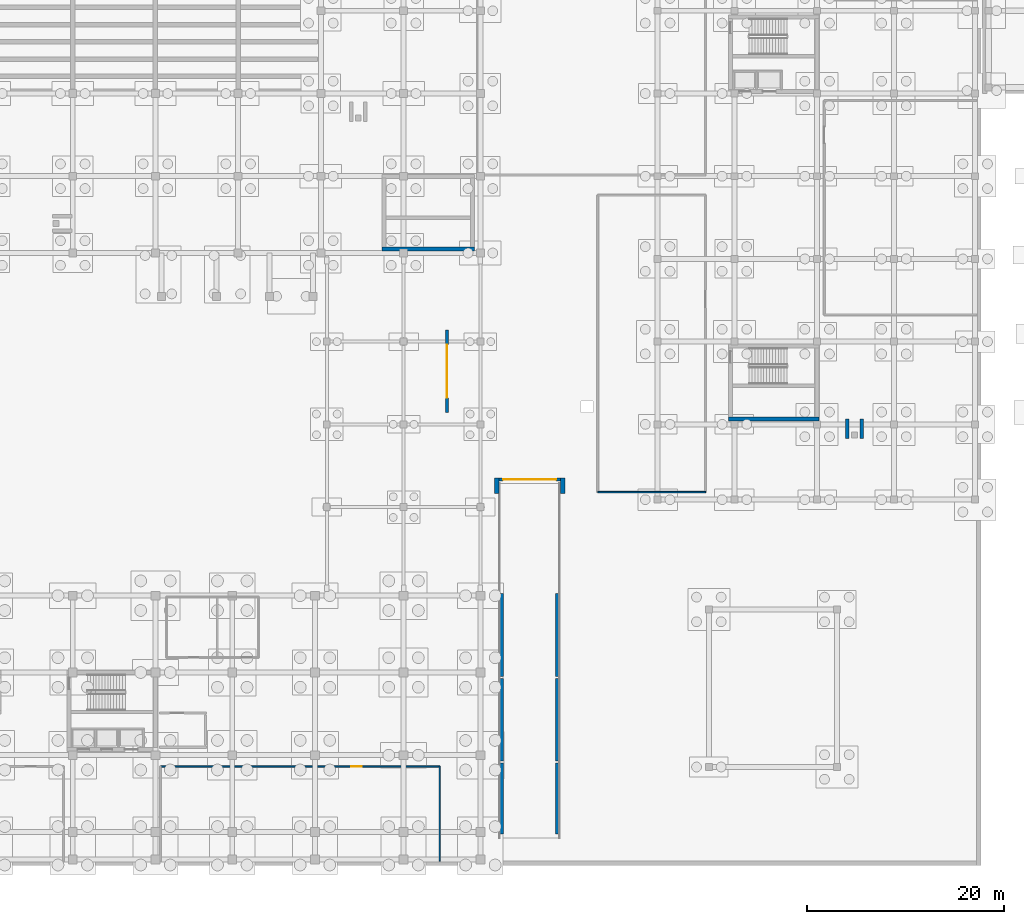
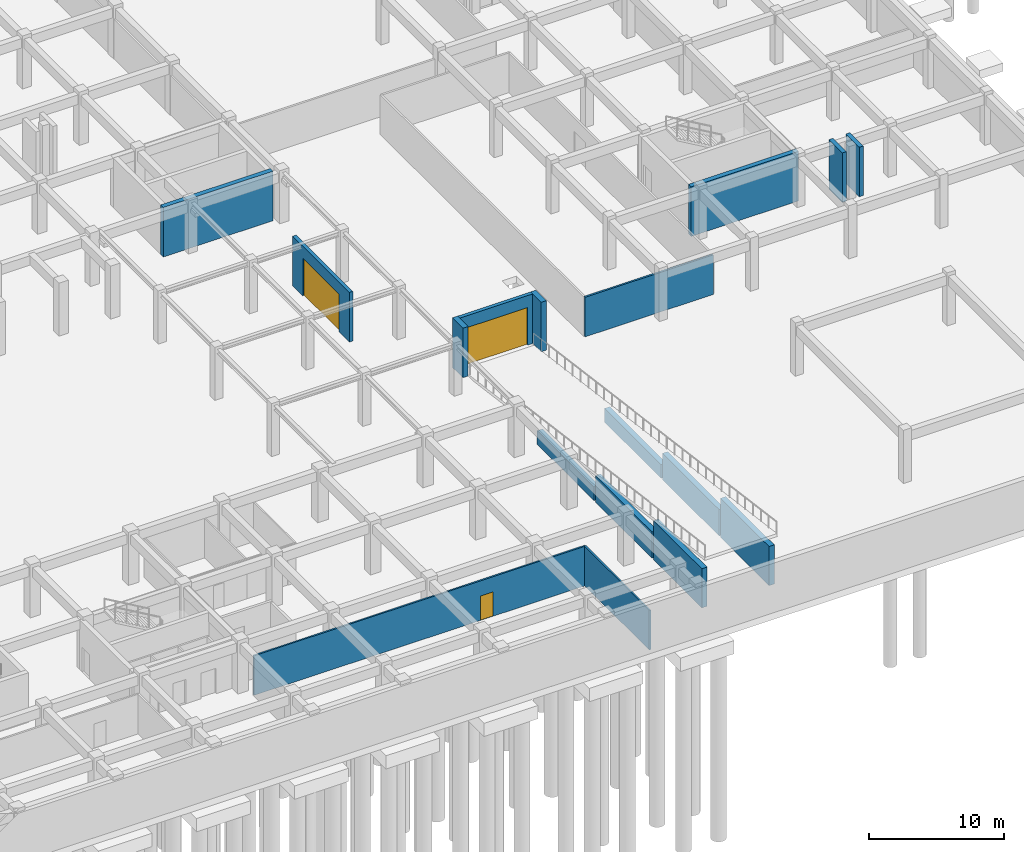
# One storey, part 18 of 35: 17 walls, 3 doors, 3 openings.
"""IFC4 building model written with IfcOpenShell, lengths in metres."""

from ifc_helpers import new_model, si_unit, direction, frame, frame_2d, origin, place, context, subcontext, project, spatial, rectangle, extrude, material, layer, layer_set, type_object, element, fill, save


model = new_model("IFC4")

# Units and contexts
model_context = context("Model", 3, precision=1e-05, world=origin(), true_north=direction((0.0, 1.0)))
body_context = subcontext(model_context, "Body", "Model", "MODEL_VIEW")
ifc_project = project(units=[si_unit("LENGTHUNIT", "METRE"), si_unit("AREAUNIT", "SQUARE_METRE"), si_unit("VOLUMEUNIT", "CUBIC_METRE"), si_unit("PLANEANGLEUNIT", "RADIAN"), si_unit("MASSUNIT", "GRAM", prefix="KILO")], contexts=[model_context])

# Site, building, storey
site_placement = place(None, origin())
site = spatial("IfcSite", under=ifc_project, at=site_placement, CompositionType="ELEMENT")
building_placement = place(site_placement, origin())
building = spatial("IfcBuilding", under=site, at=building_placement, Name="Zayran Congress Hotel", CompositionType="ELEMENT")
storey_placement = place(building_placement, frame((0.0, 0.0, -4.800048828125)))
storey = spatial("IfcBuildingStorey", under=building, at=storey_placement, Name="B1", CompositionType="ELEMENT", Elevation=-4.800048828125)

# Walls
ifc_material_1 = material(Name="Concrete C32/40", Category="concrete")
ifc_layer_1 = layer(ifc_material_1, 0.449951171875)
ifc_layer_set_1 = layer_set([ifc_layer_1], Name="Concrete C32/40")
wall_type_1 = type_object("IfcWallType", Name="WL-RT-450", PredefinedType="USERDEFINED", material=ifc_layer_set_1)
wall_1_placement = place(storey_placement, frame((93.925048828125, 9.199951171875, 0.0), z_axis=(0.0, 0.0, 1.0), x_axis=(0.0, 1.0, 0.0)))
element("IfcWall", 1, at=wall_1_placement, inside=storey, type_object=wall_type_1, Name="Vehicle Ramp Stepped Bearing Wall W1", ObjectType="RETAININGWALL", PredefinedType="USERDEFINED", context=body_context, shape_type="SweptSolid", body=[
    extrude(rectangle(XDim=7.199951171875, YDim=0.449951171875, at=frame_2d((3.60009765625, 0.0))), origin(), (0.0, 0.0, 1.0), 3.53515625),
])
wall_2_placement = place(storey_placement, frame((93.925048828125, 16.60009765625, 0.0), z_axis=(0.0, 0.0, 1.0), x_axis=(0.0, 1.0, 0.0)))
element("IfcWall", 2, at=wall_2_placement, inside=storey, type_object=wall_type_1, Name="Vehicle Ramp Stepped Bearing Wall W2", ObjectType="RETAININGWALL", PredefinedType="USERDEFINED", context=body_context, shape_type="SweptSolid", body=[
    extrude(rectangle(XDim=8.39990234375, YDim=0.449951171875, at=frame_2d((4.199951171875, 0.0))), origin(), (0.0, 0.0, 1.0), 2.387939453125),
])
wall_3_placement = place(storey_placement, frame((93.925048828125, 25.199951171875, 0.0), z_axis=(0.0, 0.0, 1.0), x_axis=(0.0, 1.0, 0.0)))
element("IfcWall", 3, at=wall_3_placement, inside=storey, type_object=wall_type_1, Name="Vehicle Ramp Stepped Bearing Wall W3", ObjectType="RETAININGWALL", PredefinedType="USERDEFINED", context=body_context, shape_type="SweptSolid", body=[
    extrude(rectangle(XDim=8.400146484375, YDim=0.449951171875, at=frame_2d((4.2001953125, 0.0))), origin(), (0.0, 0.0, 1.0), 1.240966796875),
])
wall_4_placement = place(storey_placement, frame((99.675048828125, 9.199951171875, 0.0), z_axis=(0.0, 0.0, 1.0), x_axis=(0.0, 1.0, 0.0)))
element("IfcWall", 4, at=wall_4_placement, inside=storey, type_object=wall_type_1, Name="Vehicle Ramp Stepped Bearing Wall E1", ObjectType="RETAININGWALL", PredefinedType="USERDEFINED", context=body_context, shape_type="SweptSolid", body=[
    extrude(rectangle(XDim=7.199951171875, YDim=0.449951171875, at=frame_2d((3.60009765625, 0.0))), origin(), (0.0, 0.0, 1.0), 3.53515625),
])
wall_5_placement = place(storey_placement, frame((99.675048828125, 16.60009765625, 0.0), z_axis=(0.0, 0.0, 1.0), x_axis=(0.0, 1.0, 0.0)))
element("IfcWall", 5, at=wall_5_placement, inside=storey, type_object=wall_type_1, Name="Vehicle Ramp Stepped Bearing Wall E2", ObjectType="RETAININGWALL", PredefinedType="USERDEFINED", context=body_context, shape_type="SweptSolid", body=[
    extrude(rectangle(XDim=8.39990234375, YDim=0.449951171875, at=frame_2d((4.199951171875, 0.0))), origin(), (0.0, 0.0, 1.0), 2.387939453125),
])
wall_6_placement = place(storey_placement, frame((99.675048828125, 25.199951171875, 0.0), z_axis=(0.0, 0.0, 1.0), x_axis=(0.0, 1.0, 0.0)))
element("IfcWall", 6, at=wall_6_placement, inside=storey, type_object=wall_type_1, Name="Vehicle Ramp Stepped Bearing Wall E3", ObjectType="RETAININGWALL", PredefinedType="USERDEFINED", context=body_context, shape_type="SweptSolid", body=[
    extrude(rectangle(XDim=8.400146484375, YDim=0.449951171875, at=frame_2d((4.2001953125, 0.0))), origin(), (0.0, 0.0, 1.0), 1.240966796875),
])
for number, where, z_axis, x_axis, name in (
    (7, (93.449951171875, 43.800048828125, 0.0), (0.0, 0.0, 1.0), (0.0, 1.0, 0.0), "Vehicle Ramp Portal Return Pier W"),
    (8, (100.14990234375, 43.800048828125, 0.0), (0.0, 0.0, 1.0), (0.0, 1.0, 0.0), "Vehicle Ramp Portal Return Pier E"),
):
    element("IfcWall", number, at=place(storey_placement, frame(where, z_axis=z_axis, x_axis=x_axis)), inside=storey, type_object=wall_type_1, Name=name, ObjectType="RETAININGWALL", PredefinedType="USERDEFINED", context=body_context, shape_type="SweptSolid", body=[
        extrude(rectangle(XDim=1.550048828125, YDim=0.449951171875, at=frame_2d((0.77490234375, 0.0))), origin(), (0.0, 0.0, 1.0), 4.47998046875),
    ])

# Wall, opening, door
ifc_material_2 = material(Name="Ajlun white limestone and insulated concrete C32/40", Category="masonry")
ifc_layer_2 = layer(ifc_material_2, 0.300048828125)
ifc_layer_set_2 = layer_set([ifc_layer_2], Name="Ajlun white limestone and insulated concrete C32/40")
wall_type_2 = type_object("IfcWallType", Name="WL-EX-300", PredefinedType="SOLIDWALL", material=ifc_layer_set_2)
wall_7_placement = place(storey_placement, frame((93.39990234375, 45.199951171875, 0.0), z_axis=(0.0, 0.0, 1.0), x_axis=(1.0, 0.0, 0.0)))
wall_7 = element("IfcWall", 9, at=wall_7_placement, inside=storey, type_object=wall_type_2, Name="WL-PRT-01", PredefinedType="SOLIDWALL", context=body_context, shape_type="SweptSolid", body=[
    extrude(rectangle(XDim=6.800048828125, YDim=0.300048828125, at=frame_2d((3.39990234375, 0.0))), origin(), (0.0, 0.0, 1.0), 4.47998046875),
])
opening_1_placement = place(wall_7_placement, frame((0.699951171875, 0.0, 0.0)))
opening_1 = element("IfcOpeningElement", 10, at=opening_1_placement, cuts=wall_7, Name="Opening VG-01", PredefinedType="OPENING", context=body_context, shape_type="SweptSolid", body=[
    extrude(rectangle(XDim=5.39990234375, YDim=3.39990234375, at=frame_2d((2.699951171875, 1.699951171875))), frame((0.0, 0.159912109375, 0.0), z_axis=(0.0, -1.0, 0.0), x_axis=(1.0, 0.0, 0.0)), (0.0, 0.0, 1.0), 0.320068359375),
])
ifc_material_3 = material(Name="Galvanised steel insulated roller shutter", Category="steel")
door_type_1 = type_object("IfcDoorType", Name="TP-VG-01", OperationType="ROLLINGUP", PredefinedType="GATE", material=ifc_material_3)
door_1_placement = place(opening_1_placement, origin())
door_1 = element("IfcDoor", 11, at=door_1_placement, inside=storey, type_object=door_type_1, Name="B1 Ramp Foot Vehicle Shutter", OperationType="ROLLINGUP", OverallHeight=3.39990234375, OverallWidth=5.39990234375, PredefinedType="GATE", context=body_context, shape_type="SweptSolid", body=[
    extrude(rectangle(XDim=5.39990234375, YDim=3.39990234375, at=frame_2d((2.699951171875, 1.699951171875))), frame((0.0, 0.02490234375, 0.0), z_axis=(0.0, -1.0, 0.0), x_axis=(1.0, 0.0, 0.0)), (0.0, 0.0, 1.0), 0.050048828125),
])
fill(opening_1, door_1)

wall_8_placement = place(storey_placement, frame((88.39990234375, 52.0, 0.0), z_axis=(0.0, 0.0, 1.0), x_axis=(0.0, 1.0, 0.0)))
wall_8 = element("IfcWall", 12, at=wall_8_placement, inside=storey, type_object=wall_type_2, Name="WL-PRT-02", PredefinedType="SOLIDWALL", context=body_context, shape_type="SweptSolid", body=[
    extrude(rectangle(XDim=8.39990234375, YDim=0.300048828125, at=frame_2d((4.199951171875, 0.0))), origin(), (0.0, 0.0, 1.0), 4.47998046875),
])
opening_2_placement = place(wall_8_placement, frame((1.5, 0.0, 0.0)))
opening_2 = element("IfcOpeningElement", 13, at=opening_2_placement, cuts=wall_8, Name="Opening VG-01", PredefinedType="OPENING", context=body_context, shape_type="SweptSolid", body=[
    extrude(rectangle(XDim=5.39990234375, YDim=3.39990234375, at=frame_2d((2.699951171875, 1.699951171875))), frame((0.0, 0.159912109375, 0.0), z_axis=(0.0, -1.0, 0.0), x_axis=(1.0, 0.0, 0.0)), (0.0, 0.0, 1.0), 0.320068359375),
])
door_2_placement = place(opening_2_placement, origin())
door_2 = element("IfcDoor", 14, at=door_2_placement, inside=storey, type_object=door_type_1, Name="B1 Service Loop Fire Shutter", OperationType="ROLLINGUP", OverallHeight=3.39990234375, OverallWidth=5.39990234375, PredefinedType="GATE", context=body_context, shape_type="SweptSolid", body=[
    extrude(rectangle(XDim=5.39990234375, YDim=3.39990234375, at=frame_2d((2.699951171875, 1.699951171875))), frame((0.0, 0.02490234375, 0.0), z_axis=(0.0, -1.0, 0.0), x_axis=(1.0, 0.0, 0.0)), (0.0, 0.0, 1.0), 0.050048828125),
])
fill(opening_2, door_2)

# Walls
ifc_material_4 = material(Name="Concrete C40/50", Category="concrete")
ifc_layer_3 = layer(ifc_material_4, 0.39990234375)
ifc_layer_set_3 = layer_set([ifc_layer_3], Name="Concrete C40/50")
wall_type_3 = type_object("IfcWallType", Name="WL-SH-400", PredefinedType="SHEAR", material=ifc_layer_set_3)
wall_9_placement = place(storey_placement, frame((81.800048828125, 68.60009765625, 0.0), z_axis=(0.0, 0.0, 1.0), x_axis=(1.0, 0.0, 0.0)))
element("IfcWall", 15, at=wall_9_placement, inside=storey, type_object=wall_type_3, Name="CWALL-C-V1F-B1-S", PredefinedType="SHEAR", context=body_context, shape_type="SweptSolid", body=[
    extrude(rectangle(XDim=9.39990234375, YDim=0.39990234375, at=frame_2d((4.699951171875, 0.0))), origin(), (0.0, 0.0, 1.0), 4.47998046875),
])
wall_10_placement = place(storey_placement, frame((117.0, 51.35009765625, 0.0), z_axis=(0.0, 0.0, 1.0), x_axis=(1.0, 0.0, 0.0)))
element("IfcWall", 16, at=wall_10_placement, inside=storey, type_object=wall_type_3, Name="CWALL-C-V4S-B1-S", PredefinedType="SHEAR", context=body_context, shape_type="SweptSolid", body=[
    extrude(rectangle(XDim=9.199951171875, YDim=0.39990234375, at=frame_2d((4.60009765625, 0.0))), origin(), (0.0, 0.0, 1.0), 4.47998046875),
])
ifc_layer_4 = layer(ifc_material_4, 0.35009765625)
ifc_layer_set_4 = layer_set([ifc_layer_4], Name="Concrete C40/50")
wall_type_4 = type_object("IfcWallType", Name="WL-SH-350", PredefinedType="SHEAR", material=ifc_layer_set_4)
for number, where, z_axis, x_axis, name in (
    (17, (130.52490234375, 49.35009765625, 0.0), (0.0, 0.0, 1.0), (0.0, 1.0, 0.0), "VWALL-B1SUP-06-R"),
    (18, (129.074951171875, 49.35009765625, 0.0), (0.0, 0.0, 1.0), (0.0, 1.0, 0.0), "VWALL-B1SUP-06-L"),
):
    element("IfcWall", number, at=place(storey_placement, frame(where, z_axis=z_axis, x_axis=x_axis)), inside=storey, type_object=wall_type_4, Name=name, PredefinedType="SHEAR", context=body_context, shape_type="SweptSolid", body=[
        extrude(rectangle(XDim=2.0, YDim=0.35009765625, at=frame_2d((1.0, 0.0))), origin(), (0.0, 0.0, 1.0), 4.47998046875),
    ])
ifc_material_5 = material(Name="Acoustic twin-stud gypsum partition", Category="gypsum")
ifc_layer_5 = layer(ifc_material_5, 0.159912109375)
ifc_layer_set_5 = layer_set([ifc_layer_5], Name="Acoustic twin-stud gypsum partition")
wall_type_5 = type_object("IfcWallType", Name="WL-PT-160", PredefinedType="PARTITIONING", material=ifc_layer_set_5)
wall_11_placement = place(storey_placement, frame((103.719970703125, 43.919921875, 0.0), z_axis=(0.0, 0.0, 1.0), x_axis=(1.0, 0.0, 0.0)))
element("IfcWall", 19, at=wall_11_placement, inside=storey, type_object=wall_type_5, Name="IW-B1-1635", PredefinedType="PARTITIONING", context=body_context, shape_type="SweptSolid", body=[
    extrude(rectangle(XDim=10.9599609375, YDim=0.159912109375, at=frame_2d((5.47998046875, 0.0))), origin(), (0.0, 0.0, 1.0), 3.580078125),
])

# Wall, opening, door
ifc_material_6 = material(Name="Hospitality guestroom acoustic partition", Category="gypsum")
ifc_layer_6 = layer(ifc_material_6, 0.139892578125)
ifc_layer_set_6 = layer_set([ifc_layer_6], Name="Hospitality guestroom acoustic partition")
wall_type_6 = type_object("IfcWallType", Name="WL-PT-140", PredefinedType="PARTITIONING", material=ifc_layer_set_6)
wall_12_placement = place(storey_placement, frame((59.320068359375, 16.070068359375, 0.0), z_axis=(0.0, 0.0, 1.0), x_axis=(1.0, 0.0, 0.0)))
wall_12 = element("IfcWall", 20, at=wall_12_placement, inside=storey, type_object=wall_type_6, Name="IW-B1-0387", PredefinedType="PARTITIONING", context=body_context, shape_type="SweptSolid", body=[
    extrude(rectangle(XDim=28.35986328125, YDim=0.139892578125, at=frame_2d((14.179931640625, 0.0))), origin(), (0.0, 0.0, 1.0), 3.580078125),
])
opening_3_placement = place(wall_12_placement, frame((19.385009765625, 0.0, 0.0)))
opening_3 = element("IfcOpeningElement", 21, at=opening_3_placement, cuts=wall_12, Name="Opening DR-PL-02", PredefinedType="OPENING", context=body_context, shape_type="SweptSolid", body=[
    extrude(rectangle(XDim=1.06005859375, YDim=2.199951171875, at=frame_2d((0.530029296875, 1.10009765625))), frame((0.0, 0.079833984375, 0.0), z_axis=(0.0, -1.0, 0.0), x_axis=(1.0, 0.0, 0.0)), (0.0, 0.0, 1.0), 0.159912109375),
])
ifc_material_7 = material(Name="Painted steel store room fire door", Category="steel")
door_type_2 = type_object("IfcDoorType", Name="TP-DR-PL-02", OperationType="NOTDEFINED", PredefinedType="DOOR", material=ifc_material_7)
door_3_placement = place(opening_3_placement, origin())
door_3 = element("IfcDoor", 22, at=door_3_placement, inside=storey, type_object=door_type_2, Name="Equipment Store Room B1 Door", OperationType="SINGLE_SWING_RIGHT", OverallHeight=2.199951171875, OverallWidth=1.06005859375, PredefinedType="DOOR", context=body_context, shape_type="SweptSolid", body=[
    extrude(rectangle(XDim=1.06005859375, YDim=2.199951171875, at=frame_2d((0.530029296875, 1.10009765625))), frame((0.0, 0.02490234375, 0.0), z_axis=(0.0, -1.0, 0.0), x_axis=(1.0, 0.0, 0.0)), (0.0, 0.0, 1.0), 0.050048828125),
])
fill(opening_3, door_3)

# Wall
wall_13_placement = place(storey_placement, frame((87.669921875, 6.449951171875, 0.0), z_axis=(0.0, 0.0, 1.0), x_axis=(0.0, 1.0, 0.0)))
element("IfcWall", 23, at=wall_13_placement, inside=storey, type_object=wall_type_6, Name="IW-B1-1652", PredefinedType="PARTITIONING", context=body_context, shape_type="SweptSolid", body=[
    extrude(rectangle(XDim=9.630126953125, YDim=0.139892578125, at=frame_2d((4.81494140625, 0.0))), origin(), (0.0, 0.0, 1.0), 3.580078125),
])

save(model, "model.ifc")
